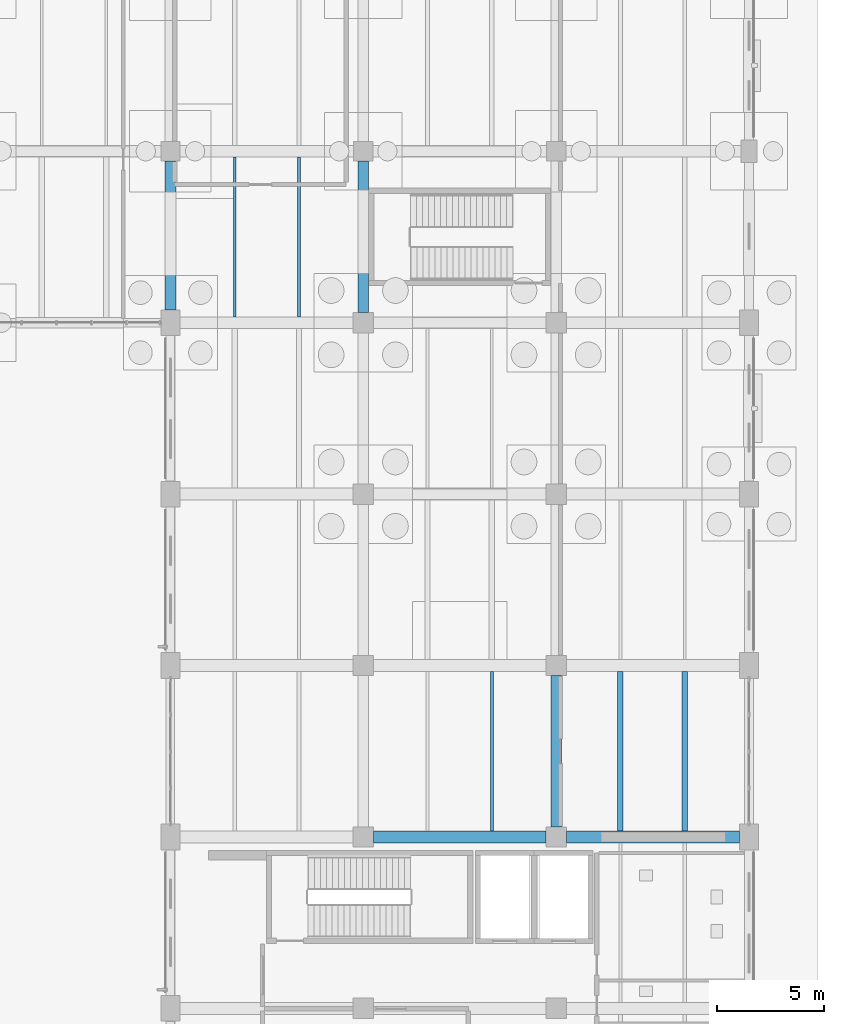
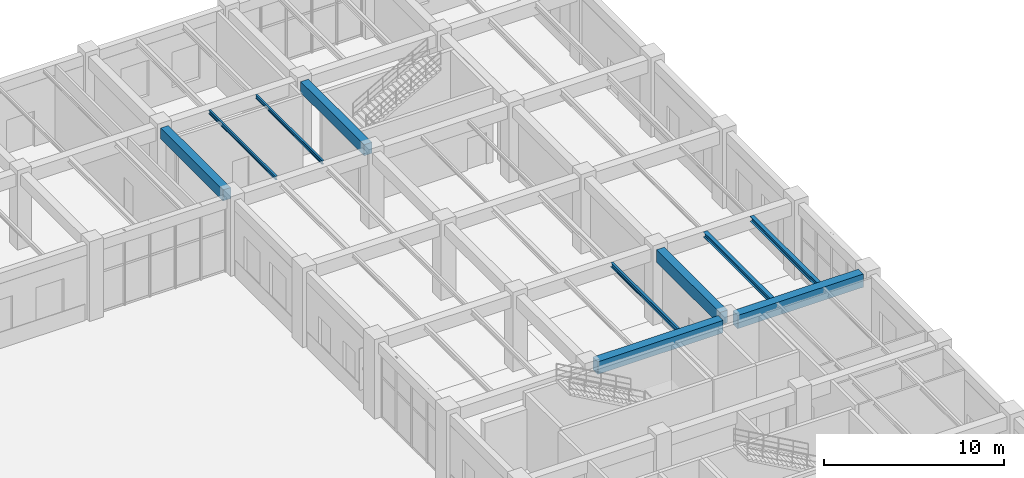
# One storey, part 73 of 121: 10 beams.
"""IFC4 building model written with IfcOpenShell, lengths in metres."""

from ifc_helpers import new_model, si_unit, derived_unit, direction, frame, origin, origin_2d, place, context, subcontext, project, spatial, rectangle, i_section, extrude, material, material_profile, profile_set, type_object, element, save


model = new_model("IFC4")

# Units and contexts
model_context = context("Model", 3, precision=1e-05, world=origin(), true_north=direction((0.0, 1.0)))
body_context = subcontext(model_context, "Body", "Model", "MODEL_VIEW")
ifc_project = project(units=[si_unit("LENGTHUNIT", "METRE"), si_unit("AREAUNIT", "SQUARE_METRE"), si_unit("VOLUMEUNIT", "CUBIC_METRE"), si_unit("PLANEANGLEUNIT", "RADIAN"), si_unit("MASSUNIT", "GRAM", prefix="KILO"), derived_unit("THERMALTRANSMITTANCEUNIT", [(si_unit("MASSUNIT", "GRAM", prefix="KILO"), 1), (si_unit("TIMEUNIT", "SECOND"), -3), (si_unit("THERMODYNAMICTEMPERATUREUNIT", "KELVIN"), -1)])], contexts=[model_context])

# Site, building, storey
site_placement = place(None, origin())
site = spatial("IfcSite", under=ifc_project, at=site_placement, CompositionType="ELEMENT")
building_placement = place(site_placement, origin())
building = spatial("IfcBuilding", under=site, at=building_placement, Name="Zhenchuan Archway Interchange", CompositionType="ELEMENT")
storey_placement = place(building_placement, origin())
storey = spatial("IfcBuildingStorey", under=building, at=storey_placement, Name="L00", CompositionType="ELEMENT", Elevation=0.0)

# Beams
ifc_material_1 = material(Name="Concrete C40", Category="concrete")
ifc_material_profile_1 = material_profile(ifc_material_1, rectangle(XDim=0.5, YDim=0.75, at=origin_2d()), Name="RC 500x750")
ifc_profile_set_1 = profile_set([ifc_material_profile_1], Name="Concrete C40")
beam_type_1 = type_object("IfcBeamType", Name="BM_RC_500x750", PredefinedType="BEAM", material=ifc_profile_set_1)
beam_1_placement = place(storey_placement, frame((144.0, 88.60009765625, 4.705078125), z_axis=(0.0, 1.0, 0.0), x_axis=(-1.0, 0.0, 0.0)))
element("IfcBeam", 1, at=beam_1_placement, inside=storey, type_object=beam_type_1, Name="Beam 17:M-N (L00)", PredefinedType="BEAM", context=body_context, shape_type="SweptSolid", body=[
    extrude(rectangle(XDim=0.5, YDim=0.75, at=origin_2d()), origin(), (0.0, 0.0, 1.0), 6.949951171875),
])
beam_2_placement = place(storey_placement, frame((153.0, 88.47509765625, 4.705078125), z_axis=(0.0, 1.0, 0.0), x_axis=(-1.0, 0.0, 0.0)))
element("IfcBeam", 2, at=beam_2_placement, inside=storey, type_object=beam_type_1, Name="Beam 18:M-N (L00)", PredefinedType="BEAM", context=body_context, shape_type="SweptSolid", body=[
    extrude(rectangle(XDim=0.5, YDim=0.75, at=origin_2d()), origin(), (0.0, 0.0, 1.0), 7.074951171875),
])
ifc_material_profile_2 = material_profile(ifc_material_1, rectangle(XDim=0.5, YDim=0.85009765625, at=origin_2d()), Name="RC 500x850")
ifc_profile_set_2 = profile_set([ifc_material_profile_2], Name="Concrete C40")
beam_type_2 = type_object("IfcBeamType", Name="BM_RC_500x850", PredefinedType="BEAM", material=ifc_profile_set_2)
beam_3_placement = place(storey_placement, frame((162.0, 64.47509765625, 4.655029296875), z_axis=(0.0, 1.0, 0.0), x_axis=(-1.0, 0.0, 0.0)))
element("IfcBeam", 3, at=beam_3_placement, inside=storey, type_object=beam_type_2, Name="Beam 19:J-K (L00)", PredefinedType="BEAM", context=body_context, shape_type="SweptSolid", body=[
    extrude(rectangle(XDim=0.5, YDim=0.85009765625, at=origin_2d()), origin(), (0.0, 0.0, 1.0), 7.0498046875),
])
ifc_material_profile_3 = material_profile(ifc_material_1, rectangle(XDim=0.550048828125, YDim=0.85009765625, at=origin_2d()), Name="RC 550x850")
ifc_profile_set_3 = profile_set([ifc_material_profile_3], Name="Concrete C40")
beam_type_3 = type_object("IfcBeamType", Name="BM_RC_550x850", PredefinedType="BEAM", material=ifc_profile_set_3)
beam_4_placement = place(storey_placement, frame((153.47509765625, 64.0, 4.655029296875), z_axis=(1.0, 0.0, 0.0), x_axis=(0.0, 1.0, 0.0)))
element("IfcBeam", 4, at=beam_4_placement, inside=storey, type_object=beam_type_3, Name="Beam J:18-19 (L00)", PredefinedType="BEAM", context=body_context, shape_type="SweptSolid", body=[
    extrude(rectangle(XDim=0.550048828125, YDim=0.85009765625, at=origin_2d()), origin(), (0.0, 0.0, 1.0), 8.0498046875),
])
ifc_material_profile_4 = material_profile(ifc_material_1, rectangle(XDim=0.550048828125, YDim=0.89990234375, at=origin_2d()), Name="RC 550x900")
ifc_profile_set_4 = profile_set([ifc_material_profile_4], Name="Concrete C40")
beam_type_4 = type_object("IfcBeamType", Name="BM_RC_550x900", PredefinedType="BEAM", material=ifc_profile_set_4)
beam_5_placement = place(storey_placement, frame((162.47509765625, 64.0, 4.6298828125), z_axis=(1.0, 0.0, 0.0), x_axis=(0.0, 1.0, 0.0)))
element("IfcBeam", 5, at=beam_5_placement, inside=storey, type_object=beam_type_4, Name="Beam J:19-20 (L00)", PredefinedType="BEAM", context=body_context, shape_type="SweptSolid", body=[
    extrude(rectangle(XDim=0.550048828125, YDim=0.89990234375, at=origin_2d()), origin(), (0.0, 0.0, 1.0), 8.074951171875),
])
ifc_material_2 = material(Name="Steel Q355", Category="steel")
ifc_material_profile_5 = material_profile(ifc_material_2, i_section(OverallWidth=0.25, OverallDepth=0.340087890625, WebThickness=0.009033203125, FlangeThickness=0.013916015625, FilletRadius=0.01806640625, at=origin_2d()), Name="HM 340x250")
ifc_profile_set_5 = profile_set([ifc_material_profile_5], Name="Steel Q355")
beam_type_5 = type_object("IfcBeamType", Name="JST_STL_HM340", PredefinedType="JOIST", material=ifc_profile_set_5)
for number, where, z_axis, x_axis, name in (
    (6, (165.0, 64.27490234375, 4.909912109375), (0.0, 1.0, 0.0), (-1.0, 0.0, 0.0), "Secondary joist 19-20/J-K #1 (L00)"),
    (7, (168.0, 64.27490234375, 4.909912109375), (0.0, 1.0, 0.0), (-1.0, 0.0, 0.0), "Secondary joist 19-20/J-K #2 (L00)"),
):
    element("IfcBeam", number, at=place(storey_placement, frame(where, z_axis=z_axis, x_axis=x_axis)), inside=storey, type_object=beam_type_5, Name=name, PredefinedType="JOIST", context=body_context, shape_type="SweptSolid", body=[
        extrude(i_section(OverallWidth=0.25, OverallDepth=0.340087890625, WebThickness=0.009033203125, FlangeThickness=0.013916015625, FilletRadius=0.01806640625, at=origin_2d()), origin(), (0.0, 0.0, 1.0), 7.4501953125),
    ])
ifc_material_profile_6 = material_profile(ifc_material_2, i_section(OverallWidth=0.125, OverallDepth=0.25, WebThickness=0.006103515625, FlangeThickness=0.009033203125, FilletRadius=0.011962890625, at=origin_2d()), Name="HN 250x125")
ifc_profile_set_6 = profile_set([ifc_material_profile_6], Name="Steel Q355")
beam_type_6 = type_object("IfcBeamType", Name="JST_STL_HN250", PredefinedType="JOIST", material=ifc_profile_set_6)
for number, where, z_axis, x_axis, name in (
    (8, (147.0, 88.27490234375, 4.955078125), (0.0, 1.0, 0.0), (-1.0, 0.0, 0.0), "Secondary joist 17-18/M-N #1 (L00)"),
    (9, (150.0, 88.27490234375, 4.955078125), (0.0, 1.0, 0.0), (-1.0, 0.0, 0.0), "Secondary joist 17-18/M-N #2 (L00)"),
):
    element("IfcBeam", number, at=place(storey_placement, frame(where, z_axis=z_axis, x_axis=x_axis)), inside=storey, type_object=beam_type_6, Name=name, PredefinedType="JOIST", context=body_context, shape_type="SweptSolid", body=[
        extrude(i_section(OverallWidth=0.125, OverallDepth=0.25, WebThickness=0.006103515625, FlangeThickness=0.009033203125, FilletRadius=0.011962890625, at=origin_2d()), origin(), (0.0, 0.0, 1.0), 7.4501953125),
    ])
ifc_material_profile_7 = material_profile(ifc_material_2, i_section(OverallWidth=0.14990234375, OverallDepth=0.300048828125, WebThickness=0.006591796875, FlangeThickness=0.009033203125, FilletRadius=0.012939453125, at=origin_2d()), Name="HN 300x150")
ifc_profile_set_7 = profile_set([ifc_material_profile_7], Name="Steel Q355")
beam_type_7 = type_object("IfcBeamType", Name="JST_STL_HN300", PredefinedType="JOIST", material=ifc_profile_set_7)
beam_6_placement = place(storey_placement, frame((159.0, 64.27490234375, 4.929931640625), z_axis=(0.0, 1.0, 0.0), x_axis=(-1.0, 0.0, 0.0)))
element("IfcBeam", 10, at=beam_6_placement, inside=storey, type_object=beam_type_7, Name="Secondary joist 18-19/J-K #2 (L00)", PredefinedType="JOIST", context=body_context, shape_type="SweptSolid", body=[
    extrude(i_section(OverallWidth=0.14990234375, OverallDepth=0.300048828125, WebThickness=0.006591796875, FlangeThickness=0.009033203125, FilletRadius=0.012939453125, at=origin_2d()), origin(), (0.0, 0.0, 1.0), 7.4501953125),
])

save(model, "model.ifc")
